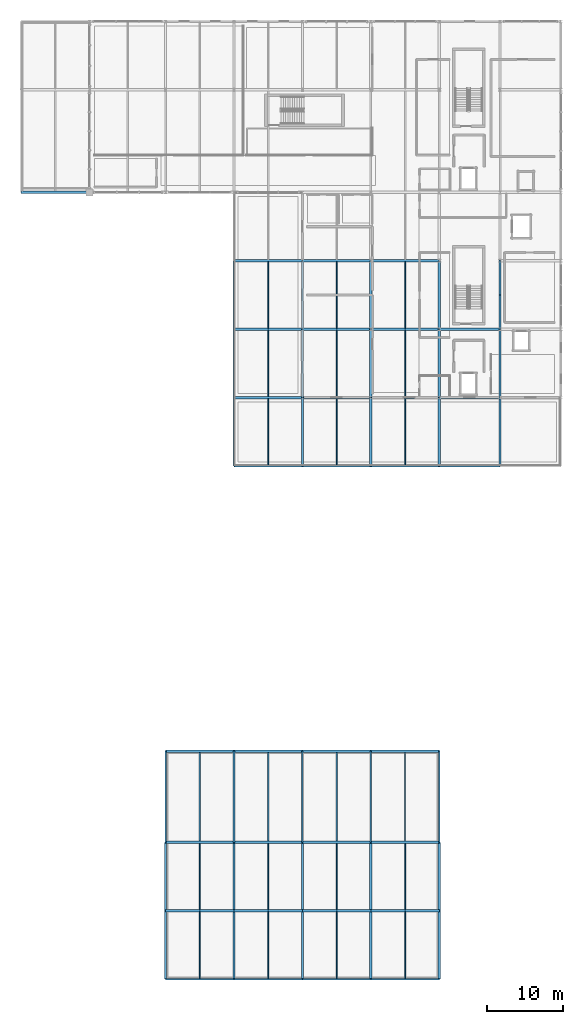
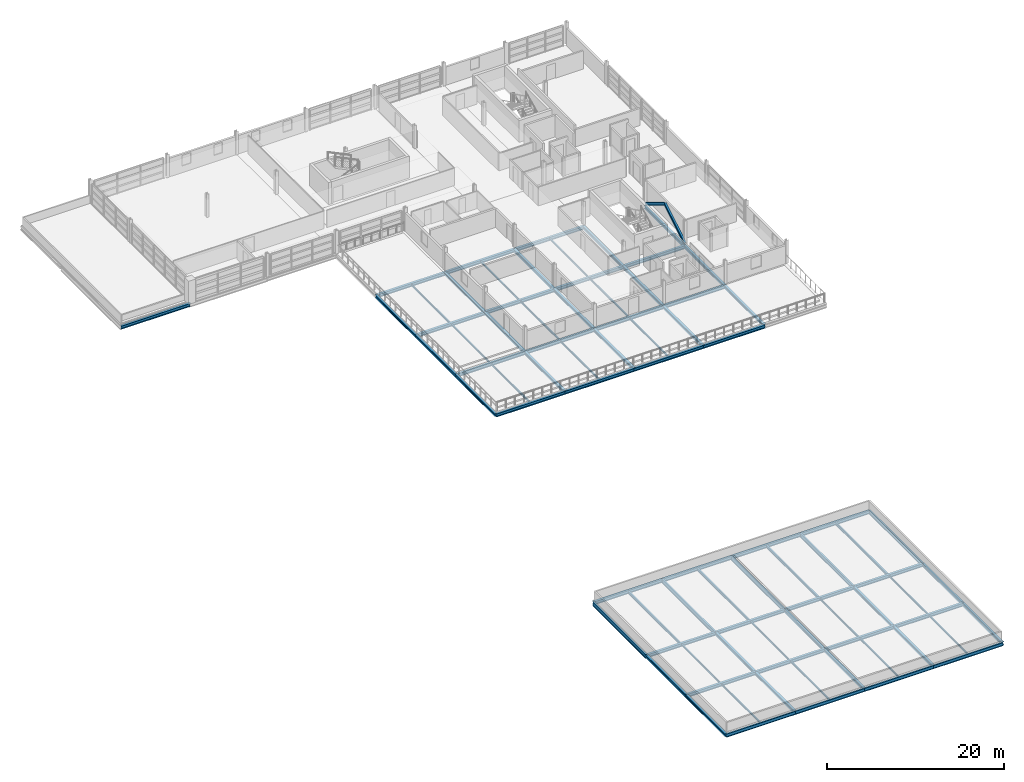
# One storey, part 6 of 30: 83 beams, 2 members.
"""IFC4 building model written with IfcOpenShell, lengths in metres."""

from ifc_helpers import new_model, si_unit, direction, frame, origin, origin_2d, place, context, subcontext, project, spatial, i_section, extrude, material, material_profile, profile_set, type_object, element, save


model = new_model("IFC4")

# Units and contexts
model_context = context("Model", 3, precision=1e-05, world=origin(), true_north=direction((0.0, 1.0)))
body_context = subcontext(model_context, "Body", "Model", "MODEL_VIEW")
ifc_project = project(units=[si_unit("LENGTHUNIT", "METRE"), si_unit("AREAUNIT", "SQUARE_METRE"), si_unit("VOLUMEUNIT", "CUBIC_METRE"), si_unit("PLANEANGLEUNIT", "RADIAN"), si_unit("MASSUNIT", "GRAM", prefix="KILO")], contexts=[model_context])

# Site, building, storey
site_placement = place(None, origin())
site = spatial("IfcSite", under=ifc_project, at=site_placement, CompositionType="ELEMENT")
building_placement = place(site_placement, origin())
building = spatial("IfcBuilding", under=site, at=building_placement, Name="Chuanluo Vaults Station", CompositionType="ELEMENT")
storey_placement = place(building_placement, frame((0.0, 0.0, 17.60009765625)))
storey = spatial("IfcBuildingStorey", under=building, at=storey_placement, Name="L04", CompositionType="ELEMENT", Elevation=17.60009765625)

# Beams
ifc_material_1 = material(Name="Steel Q355C", Category="steel")
ifc_material_profile_1 = material_profile(ifc_material_1, i_section(OverallWidth=0.300048828125, OverallDepth=0.389892578125, WebThickness=0.010009765625, FlangeThickness=0.01611328125, FilletRadius=0.02001953125, at=origin_2d()))
ifc_profile_set_1 = profile_set([ifc_material_profile_1], Name="Steel Q355C")
beam_type_1 = type_object("IfcBeamType", Name="BM-GRD-400", PredefinedType="BEAM", material=ifc_profile_set_1)
for number, where, z_axis, x_axis, name in (
    (1, (136.0, 0.0, -0.400146484375), (0.0, 1.0, 0.0), (-1.0, 0.0, 0.0), "Floor girder BM:GY:L04:0902"),
    (2, (136.0, 9.0, -0.400146484375), (0.0, 1.0, 0.0), (-1.0, 0.0, 0.0), "Floor girder BM:GY:L04:0903"),
    (3, (145.0, 0.0, -0.400146484375), (0.0, 1.0, 0.0), (-1.0, 0.0, 0.0), "Floor girder BM:GY:L04:0907"),
    (4, (145.0, 9.0, -0.400146484375), (0.0, 1.0, 0.0), (-1.0, 0.0, 0.0), "Floor girder BM:GY:L04:0908"),
    (5, (145.0, 67.5, -0.425048828125), (0.0, 1.0, 0.0), (-1.0, 0.0, 0.0), "Floor girder BM:GY:L04:0910"),
    (6, (145.0, 76.5, -0.425048828125), (0.0, 1.0, 0.0), (-1.0, 0.0, 0.0), "Floor girder BM:GY:L04:0911"),
    (7, (145.0, 85.5, -0.425048828125), (0.0, 1.0, 0.0), (-1.0, 0.0, 0.0), "Floor girder BM:GY:L04:0912"),
    (8, (154.0, 0.0, -0.400146484375), (0.0, 1.0, 0.0), (-1.0, 0.0, 0.0), "Floor girder BM:GY:L04:0916"),
    (9, (154.0, 9.0, -0.400146484375), (0.0, 1.0, 0.0), (-1.0, 0.0, 0.0), "Floor girder BM:GY:L04:0917"),
    (10, (154.0, 67.5, -0.425048828125), (0.0, 1.0, 0.0), (-1.0, 0.0, 0.0), "Floor girder BM:GY:L04:0919"),
    (11, (154.0, 76.5, -0.425048828125), (0.0, 1.0, 0.0), (-1.0, 0.0, 0.0), "Floor girder BM:GY:L04:0920"),
    (12, (154.0, 85.5, -0.425048828125), (0.0, 1.0, 0.0), (-1.0, 0.0, 0.0), "Floor girder BM:GY:L04:0921"),
    (13, (163.0, 0.0, -0.400146484375), (0.0, 1.0, 0.0), (-1.0, 0.0, 0.0), "Floor girder BM:GY:L04:0924"),
    (14, (163.0, 9.0, -0.400146484375), (0.0, 1.0, 0.0), (-1.0, 0.0, 0.0), "Floor girder BM:GY:L04:0925"),
    (15, (163.0, 67.5, -0.425048828125), (0.0, 1.0, 0.0), (-1.0, 0.0, 0.0), "Floor girder BM:GY:L04:0927"),
    (16, (163.0, 76.5, -0.39501953125), (0.0, 1.0, 0.0), (-1.0, 0.0, 0.0), "Floor girder BM:GY:L04:0928"),
    (17, (163.0, 85.5, -0.39501953125), (0.0, 1.0, 0.0), (-1.0, 0.0, 0.0), "Floor girder BM:GY:L04:0929"),
    (18, (172.0, 0.0, -0.400146484375), (0.0, 1.0, 0.0), (-1.0, 0.0, 0.0), "Floor girder BM:GY:L04:0933"),
    (19, (172.0, 9.0, -0.400146484375), (0.0, 1.0, 0.0), (-1.0, 0.0, 0.0), "Floor girder BM:GY:L04:0934"),
    (20, (172.0, 67.5, -0.425048828125), (0.0, 1.0, 0.0), (-1.0, 0.0, 0.0), "Floor girder BM:GY:L04:0936"),
    (21, (172.0, 76.5, -0.39501953125), (0.0, 1.0, 0.0), (-1.0, 0.0, 0.0), "Floor girder BM:GY:L04:0937"),
    (22, (172.0, 85.5, -0.39501953125), (0.0, 1.0, 0.0), (-1.0, 0.0, 0.0), "Floor girder BM:GY:L04:0938"),
    (23, (180.0, 67.5, -0.425048828125), (0.0, 1.0, 0.0), (-1.0, 0.0, 0.0), "Floor girder BM:GY:L04:0942"),
    (24, (180.0, 76.5, -0.39501953125), (0.0, 1.0, 0.0), (-1.0, 0.0, 0.0), "Floor girder BM:GY:L04:0943"),
    (25, (180.0, 85.5, -0.39501953125), (0.0, 1.0, 0.0), (-1.0, 0.0, 0.0), "Floor girder BM:GY:L04:0944"),
):
    element("IfcBeam", number, at=place(storey_placement, frame(where, z_axis=z_axis, x_axis=x_axis)), inside=storey, type_object=beam_type_1, Name=name, PredefinedType="BEAM", context=body_context, shape_type="SweptSolid", body=[
        extrude(i_section(OverallWidth=0.300048828125, OverallDepth=0.389892578125, WebThickness=0.010009765625, FlangeThickness=0.01611328125, FilletRadius=0.02001953125, at=origin_2d()), origin(), (0.0, 0.0, 1.0), 9.0),
    ])
ifc_material_2 = material(Name="Steel Q355C", Category="steel")
ifc_material_profile_2 = material_profile(ifc_material_2, i_section(OverallWidth=0.300048828125, OverallDepth=0.43994140625, WebThickness=0.010986328125, FlangeThickness=0.01806640625, FilletRadius=0.02001953125, at=origin_2d()))
ifc_profile_set_2 = profile_set([ifc_material_profile_2], Name="Steel Q355C")
beam_type_2 = type_object("IfcBeamType", Name="BM-GRD-450", PredefinedType="USERDEFINED", material=ifc_profile_set_2)
for number, where, z_axis, x_axis, name in (
    (26, (136.0, 9.0, -0.425048828125), (1.0, 0.0, 0.0), (0.0, 1.0, 0.0), "Floor girder BM:GX:L04:0844"),
    (27, (145.0, 9.0, -0.425048828125), (1.0, 0.0, 0.0), (0.0, 1.0, 0.0), "Floor girder BM:GX:L04:0845"),
    (28, (154.0, 9.0, -0.425048828125), (1.0, 0.0, 0.0), (0.0, 1.0, 0.0), "Floor girder BM:GX:L04:0846"),
    (29, (163.0, 9.0, -0.425048828125), (1.0, 0.0, 0.0), (0.0, 1.0, 0.0), "Floor girder BM:GX:L04:0847"),
    (30, (136.0, 18.0, -0.425048828125), (1.0, 0.0, 0.0), (0.0, 1.0, 0.0), "Floor girder BM:GX:L04:0848"),
    (31, (145.0, 18.0, -0.425048828125), (1.0, 0.0, 0.0), (0.0, 1.0, 0.0), "Floor girder BM:GX:L04:0849"),
    (32, (154.0, 18.0, -0.425048828125), (1.0, 0.0, 0.0), (0.0, 1.0, 0.0), "Floor girder BM:GX:L04:0850"),
    (33, (163.0, 18.0, -0.425048828125), (1.0, 0.0, 0.0), (0.0, 1.0, 0.0), "Floor girder BM:GX:L04:0851"),
    (34, (136.0, 30.0, -0.425048828125), (1.0, 0.0, 0.0), (0.0, 1.0, 0.0), "Floor girder BM:GX:L04:0852"),
    (35, (145.0, 30.0, -0.425048828125), (1.0, 0.0, 0.0), (0.0, 1.0, 0.0), "Floor girder BM:GX:L04:0853"),
    (36, (154.0, 30.0, -0.425048828125), (1.0, 0.0, 0.0), (0.0, 1.0, 0.0), "Floor girder BM:GX:L04:0854"),
    (37, (163.0, 30.0, -0.425048828125), (1.0, 0.0, 0.0), (0.0, 1.0, 0.0), "Floor girder BM:GX:L04:0855"),
    (38, (145.0, 67.5, -0.4501953125), (1.0, 0.0, 0.0), (0.0, 1.0, 0.0), "Floor girder BM:GX:L04:0856"),
    (39, (154.0, 67.5, -0.4501953125), (1.0, 0.0, 0.0), (0.0, 1.0, 0.0), "Floor girder BM:GX:L04:0857"),
    (40, (163.0, 67.5, -0.4501953125), (1.0, 0.0, 0.0), (0.0, 1.0, 0.0), "Floor girder BM:GX:L04:0858"),
):
    element("IfcBeam", number, at=place(storey_placement, frame(where, z_axis=z_axis, x_axis=x_axis)), inside=storey, type_object=beam_type_2, Name=name, ObjectType="GIRDER", PredefinedType="USERDEFINED", context=body_context, shape_type="SweptSolid", body=[
        extrude(i_section(OverallWidth=0.300048828125, OverallDepth=0.43994140625, WebThickness=0.010986328125, FlangeThickness=0.01806640625, FilletRadius=0.02001953125, at=origin_2d()), origin(), (0.0, 0.0, 1.0), 9.0),
    ])
beam_1_placement = place(storey_placement, frame((172.0, 67.5, -0.4501953125), z_axis=(1.0, 0.0, 0.0), x_axis=(0.0, 1.0, 0.0)))
element("IfcBeam", 41, at=beam_1_placement, inside=storey, type_object=beam_type_2, Name="Floor girder BM:GX:L04:0859", ObjectType="GIRDER", PredefinedType="USERDEFINED", context=body_context, shape_type="SweptSolid", body=[
    extrude(i_section(OverallWidth=0.300048828125, OverallDepth=0.43994140625, WebThickness=0.010986328125, FlangeThickness=0.01806640625, FilletRadius=0.02001953125, at=origin_2d()), origin(), (0.0, 0.0, 1.0), 8.0),
])
for number, where, z_axis, x_axis, name in (
    (42, (145.0, 76.5, -0.4501953125), (1.0, 0.0, 0.0), (0.0, 1.0, 0.0), "Floor girder BM:GX:L04:0861"),
    (43, (154.0, 76.5, -0.4501953125), (1.0, 0.0, 0.0), (0.0, 1.0, 0.0), "Floor girder BM:GX:L04:0862"),
    (44, (163.0, 76.5, -0.4501953125), (1.0, 0.0, 0.0), (0.0, 1.0, 0.0), "Floor girder BM:GX:L04:0863"),
):
    element("IfcBeam", number, at=place(storey_placement, frame(where, z_axis=z_axis, x_axis=x_axis)), inside=storey, type_object=beam_type_2, Name=name, ObjectType="GIRDER", PredefinedType="USERDEFINED", context=body_context, shape_type="SweptSolid", body=[
        extrude(i_section(OverallWidth=0.300048828125, OverallDepth=0.43994140625, WebThickness=0.010986328125, FlangeThickness=0.01806640625, FilletRadius=0.02001953125, at=origin_2d()), origin(), (0.0, 0.0, 1.0), 9.0),
    ])
beam_2_placement = place(storey_placement, frame((172.0, 76.5, -0.4501953125), z_axis=(1.0, 0.0, 0.0), x_axis=(0.0, 1.0, 0.0)))
element("IfcBeam", 45, at=beam_2_placement, inside=storey, type_object=beam_type_2, Name="Floor girder BM:GX:L04:0864", ObjectType="GIRDER", PredefinedType="USERDEFINED", context=body_context, shape_type="SweptSolid", body=[
    extrude(i_section(OverallWidth=0.300048828125, OverallDepth=0.43994140625, WebThickness=0.010986328125, FlangeThickness=0.01806640625, FilletRadius=0.02001953125, at=origin_2d()), origin(), (0.0, 0.0, 1.0), 8.0),
])
for number, where, z_axis, x_axis, name in (
    (46, (145.0, 85.5, -0.4501953125), (1.0, 0.0, 0.0), (0.0, 1.0, 0.0), "Floor girder BM:GX:L04:0866"),
    (47, (154.0, 85.5, -0.420166015625), (1.0, 0.0, 0.0), (0.0, 1.0, 0.0), "Floor girder BM:GX:L04:0867"),
    (48, (163.0, 85.5, -0.420166015625), (1.0, 0.0, 0.0), (0.0, 1.0, 0.0), "Floor girder BM:GX:L04:0868"),
):
    element("IfcBeam", number, at=place(storey_placement, frame(where, z_axis=z_axis, x_axis=x_axis)), inside=storey, type_object=beam_type_2, Name=name, ObjectType="GIRDER", PredefinedType="USERDEFINED", context=body_context, shape_type="SweptSolid", body=[
        extrude(i_section(OverallWidth=0.300048828125, OverallDepth=0.43994140625, WebThickness=0.010986328125, FlangeThickness=0.01806640625, FilletRadius=0.02001953125, at=origin_2d()), origin(), (0.0, 0.0, 1.0), 9.0),
    ])
beam_3_placement = place(storey_placement, frame((172.0, 85.5, -0.420166015625), z_axis=(1.0, 0.0, 0.0), x_axis=(0.0, 1.0, 0.0)))
element("IfcBeam", 49, at=beam_3_placement, inside=storey, type_object=beam_type_2, Name="Floor girder BM:GX:L04:0869", ObjectType="GIRDER", PredefinedType="USERDEFINED", context=body_context, shape_type="SweptSolid", body=[
    extrude(i_section(OverallWidth=0.300048828125, OverallDepth=0.43994140625, WebThickness=0.010986328125, FlangeThickness=0.01806640625, FilletRadius=0.02001953125, at=origin_2d()), origin(), (0.0, 0.0, 1.0), 8.0),
])
for number, where, z_axis, x_axis, name in (
    (50, (145.0, 94.5, -0.4501953125), (1.0, 0.0, 0.0), (0.0, 1.0, 0.0), "Floor girder BM:GX:L04:0871"),
    (51, (154.0, 94.5, -0.420166015625), (1.0, 0.0, 0.0), (0.0, 1.0, 0.0), "Floor girder BM:GX:L04:0872"),
    (52, (163.0, 94.5, -0.420166015625), (1.0, 0.0, 0.0), (0.0, 1.0, 0.0), "Floor girder BM:GX:L04:0873"),
    (53, (117.0, 103.5, -0.385009765625), (1.0, 0.0, 0.0), (0.0, 1.0, 0.0), "Floor girder BM:GX:L04:0875"),
):
    element("IfcBeam", number, at=place(storey_placement, frame(where, z_axis=z_axis, x_axis=x_axis)), inside=storey, type_object=beam_type_2, Name=name, ObjectType="GIRDER", PredefinedType="USERDEFINED", context=body_context, shape_type="SweptSolid", body=[
        extrude(i_section(OverallWidth=0.300048828125, OverallDepth=0.43994140625, WebThickness=0.010986328125, FlangeThickness=0.01806640625, FilletRadius=0.02001953125, at=origin_2d()), origin(), (0.0, 0.0, 1.0), 9.0),
    ])
ifc_material_3 = material(Name="Steel Q355C", Category="steel")
ifc_material_profile_3 = material_profile(ifc_material_3, i_section(OverallWidth=0.199951171875, OverallDepth=0.550048828125, WebThickness=0.010009765625, FlangeThickness=0.01611328125, FilletRadius=0.01806640625, at=origin_2d()))
ifc_profile_set_3 = profile_set([ifc_material_profile_3], Name="Steel Q355C")
beam_type_3 = type_object("IfcBeamType", Name="BM-GRD-550", PredefinedType="USERDEFINED", material=ifc_profile_set_3)
for number, where, z_axis, x_axis, name in (
    (54, (136.0, 18.0, -0.47998046875), (0.0, 1.0, 0.0), (-1.0, 0.0, 0.0), "Floor girder BM:GY:L04:0904"),
    (55, (145.0, 18.0, -0.47998046875), (0.0, 1.0, 0.0), (-1.0, 0.0, 0.0), "Floor girder BM:GY:L04:0909"),
    (56, (154.0, 18.0, -0.47998046875), (0.0, 1.0, 0.0), (-1.0, 0.0, 0.0), "Floor girder BM:GY:L04:0918"),
    (57, (163.0, 18.0, -0.47998046875), (0.0, 1.0, 0.0), (-1.0, 0.0, 0.0), "Floor girder BM:GY:L04:0926"),
    (58, (172.0, 18.0, -0.47998046875), (0.0, 1.0, 0.0), (-1.0, 0.0, 0.0), "Floor girder BM:GY:L04:0935"),
):
    element("IfcBeam", number, at=place(storey_placement, frame(where, z_axis=z_axis, x_axis=x_axis)), inside=storey, type_object=beam_type_3, Name=name, ObjectType="GIRDER", PredefinedType="USERDEFINED", context=body_context, shape_type="SweptSolid", body=[
        extrude(i_section(OverallWidth=0.199951171875, OverallDepth=0.550048828125, WebThickness=0.010009765625, FlangeThickness=0.01611328125, FilletRadius=0.01806640625, at=origin_2d()), origin(), (0.0, 0.0, 1.0), 12.0),
    ])
ifc_material_4 = material(Name="Steel Q355C", Category="steel")
ifc_material_profile_4 = material_profile(ifc_material_4, i_section(OverallWidth=0.125, OverallDepth=0.25, WebThickness=0.006103515625, FlangeThickness=0.009033203125, FilletRadius=0.011962890625, at=origin_2d()))
ifc_profile_set_4 = profile_set([ifc_material_profile_4], Name="Steel Q355C")
beam_type_4 = type_object("IfcBeamType", Name="BM-SEC-250", PredefinedType="JOIST", material=ifc_profile_set_4)
beam_4_placement = place(storey_placement, frame((140.5, 0.107421875, -0.330078125), z_axis=(0.0, 1.0, 0.0), x_axis=(-1.0, 0.0, 0.0)))
element("IfcBeam", 59, at=beam_4_placement, inside=storey, type_object=beam_type_4, Name="Composite secondary joist 0263", PredefinedType="JOIST", context=body_context, shape_type="SweptSolid", body=[
    extrude(i_section(OverallWidth=0.125, OverallDepth=0.25, WebThickness=0.006103515625, FlangeThickness=0.009033203125, FilletRadius=0.011962890625, at=origin_2d()), origin(), (0.0, 0.0, 1.0), 8.737548828125),
])
beam_5_placement = place(storey_placement, frame((140.5, 9.155029296875, -0.330078125), z_axis=(0.0, 1.0, 0.0), x_axis=(-1.0, 0.0, 0.0)))
element("IfcBeam", 60, at=beam_5_placement, inside=storey, type_object=beam_type_4, Name="Composite secondary joist 0264", PredefinedType="JOIST", context=body_context, shape_type="SweptSolid", body=[
    extrude(i_section(OverallWidth=0.125, OverallDepth=0.25, WebThickness=0.006103515625, FlangeThickness=0.009033203125, FilletRadius=0.011962890625, at=origin_2d()), origin(), (0.0, 0.0, 1.0), 8.68994140625),
])
beam_6_placement = place(storey_placement, frame((149.5, 0.107421875, -0.330078125), z_axis=(0.0, 1.0, 0.0), x_axis=(-1.0, 0.0, 0.0)))
element("IfcBeam", 61, at=beam_6_placement, inside=storey, type_object=beam_type_4, Name="Composite secondary joist 0268", PredefinedType="JOIST", context=body_context, shape_type="SweptSolid", body=[
    extrude(i_section(OverallWidth=0.125, OverallDepth=0.25, WebThickness=0.006103515625, FlangeThickness=0.009033203125, FilletRadius=0.011962890625, at=origin_2d()), origin(), (0.0, 0.0, 1.0), 8.737548828125),
])
for number, where, z_axis, x_axis, name in (
    (62, (149.5, 9.155029296875, -0.330078125), (0.0, 1.0, 0.0), (-1.0, 0.0, 0.0), "Composite secondary joist 0269"),
    (63, (149.5, 67.655029296875, -0.35498046875), (0.0, 1.0, 0.0), (-1.0, 0.0, 0.0), "Composite secondary joist 0271"),
    (64, (149.5, 76.655029296875, -0.35498046875), (0.0, 1.0, 0.0), (-1.0, 0.0, 0.0), "Composite secondary joist 0272"),
    (65, (149.5, 85.655029296875, -0.35498046875), (0.0, 1.0, 0.0), (-1.0, 0.0, 0.0), "Composite secondary joist 0273"),
):
    element("IfcBeam", number, at=place(storey_placement, frame(where, z_axis=z_axis, x_axis=x_axis)), inside=storey, type_object=beam_type_4, Name=name, PredefinedType="JOIST", context=body_context, shape_type="SweptSolid", body=[
        extrude(i_section(OverallWidth=0.125, OverallDepth=0.25, WebThickness=0.006103515625, FlangeThickness=0.009033203125, FilletRadius=0.011962890625, at=origin_2d()), origin(), (0.0, 0.0, 1.0), 8.68994140625),
    ])
beam_7_placement = place(storey_placement, frame((158.5, 0.107421875, -0.330078125), z_axis=(0.0, 1.0, 0.0), x_axis=(-1.0, 0.0, 0.0)))
element("IfcBeam", 66, at=beam_7_placement, inside=storey, type_object=beam_type_4, Name="Composite secondary joist 0277", PredefinedType="JOIST", context=body_context, shape_type="SweptSolid", body=[
    extrude(i_section(OverallWidth=0.125, OverallDepth=0.25, WebThickness=0.006103515625, FlangeThickness=0.009033203125, FilletRadius=0.011962890625, at=origin_2d()), origin(), (0.0, 0.0, 1.0), 8.737548828125),
])
for number, where, z_axis, x_axis, name in (
    (67, (158.5, 9.155029296875, -0.330078125), (0.0, 1.0, 0.0), (-1.0, 0.0, 0.0), "Composite secondary joist 0278"),
    (68, (158.5, 67.655029296875, -0.35498046875), (0.0, 1.0, 0.0), (-1.0, 0.0, 0.0), "Composite secondary joist 0280"),
    (69, (158.5, 76.655029296875, -0.3251953125), (0.0, 1.0, 0.0), (-1.0, 0.0, 0.0), "Composite secondary joist 0281"),
    (70, (158.5, 85.655029296875, -0.3251953125), (0.0, 1.0, 0.0), (-1.0, 0.0, 0.0), "Composite secondary joist 0282"),
):
    element("IfcBeam", number, at=place(storey_placement, frame(where, z_axis=z_axis, x_axis=x_axis)), inside=storey, type_object=beam_type_4, Name=name, PredefinedType="JOIST", context=body_context, shape_type="SweptSolid", body=[
        extrude(i_section(OverallWidth=0.125, OverallDepth=0.25, WebThickness=0.006103515625, FlangeThickness=0.009033203125, FilletRadius=0.011962890625, at=origin_2d()), origin(), (0.0, 0.0, 1.0), 8.68994140625),
    ])
beam_8_placement = place(storey_placement, frame((167.5, 0.107421875, -0.330078125), z_axis=(0.0, 1.0, 0.0), x_axis=(-1.0, 0.0, 0.0)))
element("IfcBeam", 71, at=beam_8_placement, inside=storey, type_object=beam_type_4, Name="Composite secondary joist 0285", PredefinedType="JOIST", context=body_context, shape_type="SweptSolid", body=[
    extrude(i_section(OverallWidth=0.125, OverallDepth=0.25, WebThickness=0.006103515625, FlangeThickness=0.009033203125, FilletRadius=0.011962890625, at=origin_2d()), origin(), (0.0, 0.0, 1.0), 8.737548828125),
])
for number, where, z_axis, x_axis, name in (
    (72, (167.5, 9.155029296875, -0.330078125), (0.0, 1.0, 0.0), (-1.0, 0.0, 0.0), "Composite secondary joist 0286"),
    (73, (167.5, 67.655029296875, -0.35498046875), (0.0, 1.0, 0.0), (-1.0, 0.0, 0.0), "Composite secondary joist 0288"),
    (74, (167.5, 76.655029296875, -0.3251953125), (0.0, 1.0, 0.0), (-1.0, 0.0, 0.0), "Composite secondary joist 0289"),
    (75, (167.5, 85.655029296875, -0.3251953125), (0.0, 1.0, 0.0), (-1.0, 0.0, 0.0), "Composite secondary joist 0290"),
):
    element("IfcBeam", number, at=place(storey_placement, frame(where, z_axis=z_axis, x_axis=x_axis)), inside=storey, type_object=beam_type_4, Name=name, PredefinedType="JOIST", context=body_context, shape_type="SweptSolid", body=[
        extrude(i_section(OverallWidth=0.125, OverallDepth=0.25, WebThickness=0.006103515625, FlangeThickness=0.009033203125, FilletRadius=0.011962890625, at=origin_2d()), origin(), (0.0, 0.0, 1.0), 8.68994140625),
    ])
ifc_material_5 = material(Name="Steel Q355C", Category="steel")
ifc_material_profile_5 = material_profile(ifc_material_5, i_section(OverallWidth=0.175048828125, OverallDepth=0.35009765625, WebThickness=0.007080078125, FlangeThickness=0.010986328125, FilletRadius=0.013916015625, at=origin_2d()))
ifc_profile_set_5 = profile_set([ifc_material_profile_5], Name="Steel Q355C")
beam_type_5 = type_object("IfcBeamType", Name="BM-SEC-350", PredefinedType="JOIST", material=ifc_profile_set_5)
for number, where, z_axis, x_axis, name in (
    (76, (140.5, 18.155029296875, -0.380126953125), (0.0, 1.0, 0.0), (-1.0, 0.0, 0.0), "Composite secondary joist 0265"),
    (77, (149.5, 18.155029296875, -0.380126953125), (0.0, 1.0, 0.0), (-1.0, 0.0, 0.0), "Composite secondary joist 0270"),
    (78, (158.5, 18.155029296875, -0.380126953125), (0.0, 1.0, 0.0), (-1.0, 0.0, 0.0), "Composite secondary joist 0279"),
    (79, (167.5, 18.155029296875, -0.380126953125), (0.0, 1.0, 0.0), (-1.0, 0.0, 0.0), "Composite secondary joist 0287"),
):
    element("IfcBeam", number, at=place(storey_placement, frame(where, z_axis=z_axis, x_axis=x_axis)), inside=storey, type_object=beam_type_5, Name=name, PredefinedType="JOIST", context=body_context, shape_type="SweptSolid", body=[
        extrude(i_section(OverallWidth=0.175048828125, OverallDepth=0.35009765625, WebThickness=0.007080078125, FlangeThickness=0.010986328125, FilletRadius=0.013916015625, at=origin_2d()), origin(), (0.0, 0.0, 1.0), 11.68994140625),
    ])
ifc_material_6 = material(Name="Steel Q355C", Category="steel")
ifc_material_profile_6 = material_profile(ifc_material_6, i_section(OverallWidth=0.205078125, OverallDepth=0.4599609375, WebThickness=0.009033203125, FlangeThickness=0.013916015625, FilletRadius=0.01611328125, at=origin_2d()))
ifc_profile_set_6 = profile_set([ifc_material_profile_6], Name="Steel Q355C")
beam_type_6 = type_object("IfcBeamType", Name="BM-SPN-450", PredefinedType="SPANDREL", material=ifc_profile_set_6)
for number, where, z_axis, x_axis, name in (
    (80, (136.0, 0.0, -0.43505859375), (1.0, 0.0, 0.0), (0.0, 1.0, 0.0), "Floor girder BM:GX:L04:0840"),
    (81, (145.0, 0.0, -0.43505859375), (1.0, 0.0, 0.0), (0.0, 1.0, 0.0), "Floor girder BM:GX:L04:0841"),
    (82, (154.0, 0.0, -0.43505859375), (1.0, 0.0, 0.0), (0.0, 1.0, 0.0), "Floor girder BM:GX:L04:0842"),
    (83, (163.0, 0.0, -0.43505859375), (1.0, 0.0, 0.0), (0.0, 1.0, 0.0), "Floor girder BM:GX:L04:0843"),
):
    element("IfcBeam", number, at=place(storey_placement, frame(where, z_axis=z_axis, x_axis=x_axis)), inside=storey, type_object=beam_type_6, Name=name, PredefinedType="SPANDREL", context=body_context, shape_type="SweptSolid", body=[
        extrude(i_section(OverallWidth=0.205078125, OverallDepth=0.4599609375, WebThickness=0.009033203125, FlangeThickness=0.013916015625, FilletRadius=0.01611328125, at=origin_2d()), origin(), (0.0, 0.0, 1.0), 9.0),
    ])

# Members
ifc_material_7 = material(Name="Steel Q355C", Category="steel")
ifc_material_profile_7 = material_profile(ifc_material_7, i_section(OverallWidth=0.25, OverallDepth=0.340087890625, WebThickness=0.009033203125, FlangeThickness=0.013916015625, FilletRadius=0.01611328125, at=origin_2d()))
ifc_profile_set_7 = profile_set([ifc_material_profile_7], Name="Steel Q355C")
member_type = type_object("IfcMemberType", Name="MEM-CBR-340", PredefinedType="BRACE", material=ifc_profile_set_7)
for number, where, z_axis, x_axis, name in (
    (84, (180.0, 85.5, 0.0), (0.0, 0.853281833652, 0.521450009454), (-1.0, 0.0, 0.0), "Lateral chevron brace 09"),
    (85, (180.0, 94.5, 0.0), (0.0, -0.853281833652, 0.521450009454), (1.0, 0.0, 0.0), "Lateral chevron brace 10"),
):
    element("IfcMember", number, at=place(storey_placement, frame(where, z_axis=z_axis, x_axis=x_axis)), inside=storey, type_object=member_type, Name=name, PredefinedType="BRACE", context=body_context, shape_type="SweptSolid", body=[
        extrude(i_section(OverallWidth=0.25, OverallDepth=0.340087890625, WebThickness=0.009033203125, FlangeThickness=0.013916015625, FilletRadius=0.01611328125, at=origin_2d()), origin(), (0.0, 0.0, 1.0), 5.273681640625),
    ])

save(model, "model.ifc")
